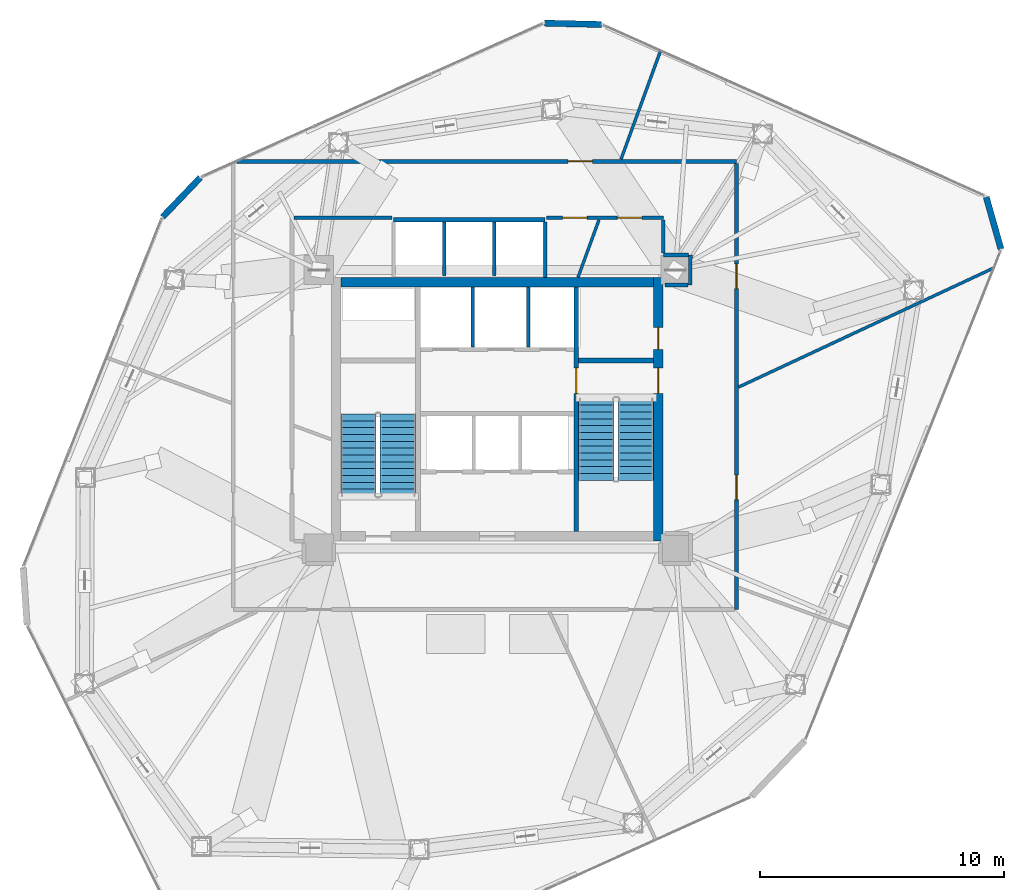
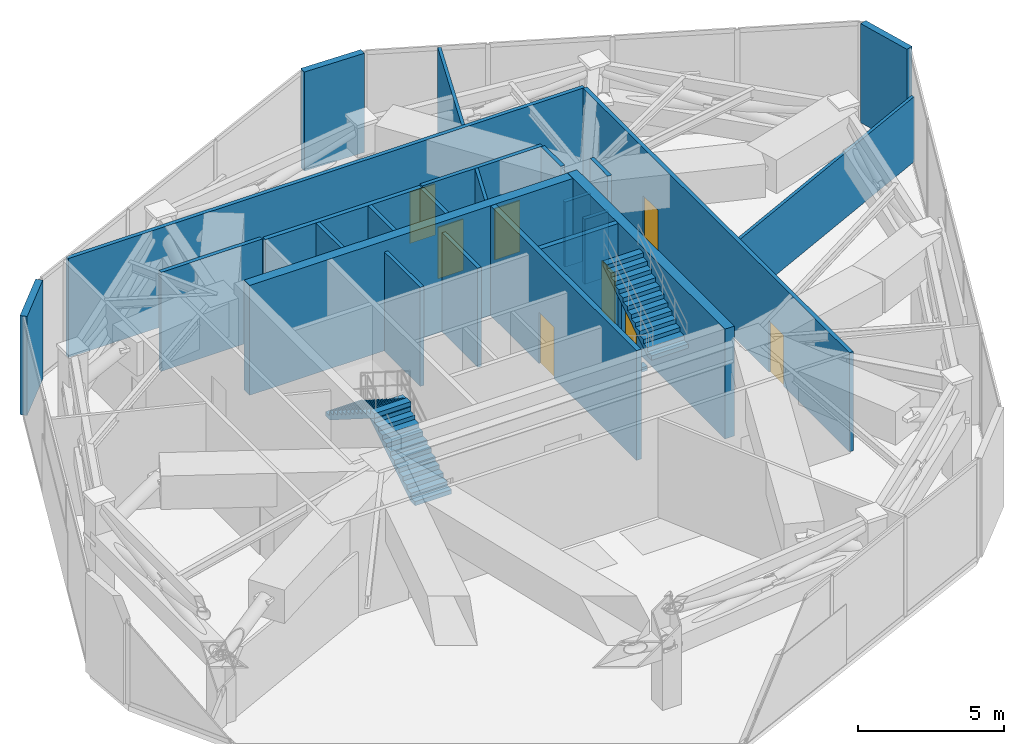
# One storey, part 19 of 21: 24 walls, 8 doors, 4 stair flights, 8 openings, 2 elements without a shape of their own.
"""IFC4 building model written with IfcOpenShell, lengths in metres."""

from ifc_helpers import new_model, si_unit, direction, frame, frame_2d, origin, place, context, subcontext, project, spatial, polyline, rectangle, outline, extrude, source, transform, mapped, material, layer, layer_set, type_object, type_shapes, element, fill, aggregate, save


model = new_model("IFC4")

# Units and contexts
model_context = context("Model", 3, precision=1e-05, world=origin(), true_north=direction((0.0, 1.0)))
body_context = subcontext(model_context, "Body", "Model", "MODEL_VIEW")
ifc_project = project(units=[si_unit("LENGTHUNIT", "METRE"), si_unit("AREAUNIT", "SQUARE_METRE"), si_unit("VOLUMEUNIT", "CUBIC_METRE"), si_unit("PLANEANGLEUNIT", "RADIAN"), si_unit("MASSUNIT", "GRAM", prefix="KILO")], contexts=[model_context])

# Site, building, storey
site_placement = place(None, origin())
site = spatial("IfcSite", under=ifc_project, at=site_placement, CompositionType="ELEMENT")
building_placement = place(site_placement, origin())
building = spatial("IfcBuilding", under=site, at=building_placement, Name="Talar Marvaseh", CompositionType="ELEMENT")
storey_placement = place(building_placement, frame((0.0, 0.0, 162.39990234375)))
storey = spatial("IfcBuildingStorey", under=building, at=storey_placement, Name="L42", CompositionType="ELEMENT", Elevation=162.39990234375)

# Walls
ifc_material_1 = material(Name="Precast concrete C45/55", Category="concrete")
ifc_layer_1 = layer(ifc_material_1, 0.2548828125)
ifc_layer_set_1 = layer_set([ifc_layer_1], Name="Precast concrete C45/55")
wall_type_1 = type_object("IfcWallType", Name="Chamfered Hexagonal Corner Pier Wall Z2 255", PredefinedType="SOLIDWALL", material=ifc_layer_set_1)
wall_1_placement = place(storey_placement, frame((12.29541015625, 39.065185546875, 0.0), z_axis=(0.0, 0.0, 1.0), x_axis=(0.69149665435, 0.722379662659, 0.0)))
element("IfcWall", 1, at=wall_1_placement, inside=storey, type_object=wall_type_1, Name="L42 Chamfered Corner Limestone Pier 3", PredefinedType="SOLIDWALL", context=body_context, shape_type="SweptSolid", body=[
    extrude(rectangle(XDim=2.2451171875, YDim=0.2548828125, at=frame_2d((1.12255859375, 0.0))), origin(), (0.0, 0.0, 1.0), 4.150146484375),
])
wall_2_placement = place(storey_placement, frame((27.932373046875, 47.010009765625, 0.0), z_axis=(0.0, 0.0, 1.0), x_axis=(0.999709717673, -0.024093160645, 0.0)))
element("IfcWall", 2, at=wall_2_placement, inside=storey, type_object=wall_type_1, Name="L42 Chamfered Corner Limestone Pier 4", PredefinedType="SOLIDWALL", context=body_context, shape_type="SweptSolid", body=[
    extrude(rectangle(XDim=2.3408203125, YDim=0.2548828125, at=frame_2d((1.17041015625, 0.0))), origin(), (0.0, 0.0, 1.0), 4.150146484375),
])
wall_3_placement = place(storey_placement, frame((46.022216796875, 39.891357421875, 0.0), z_axis=(0.0, 0.0, 1.0), x_axis=(0.272713024776, -0.962095424642, 0.0)))
element("IfcWall", 3, at=wall_3_placement, inside=storey, type_object=wall_type_1, Name="L42 Chamfered Corner Limestone Pier 5", PredefinedType="SOLIDWALL", context=body_context, shape_type="SweptSolid", body=[
    extrude(rectangle(XDim=2.216552734375, YDim=0.2548828125, at=frame_2d((1.1083984375, 0.0))), origin(), (0.0, 0.0, 1.0), 4.150146484375),
])

# Wall, opening, door
ifc_material_2 = material(Name="Gypsum Board Partition Assembly")
ifc_layer_2 = layer(ifc_material_2, 0.155029296875)
ifc_layer_set_2 = layer_set([ifc_layer_2], Name="Gypsum Board Partition Assembly")
wall_type_2 = type_object("IfcWallType", Name="Corridor Fire-Rated Acoustic Partition 155", PredefinedType="PARTITIONING", material=ifc_layer_set_2)
wall_4_placement = place(storey_placement, frame((15.3388671875, 41.35009765625, 0.0), z_axis=(0.0, 0.0, 1.0), x_axis=(1.0, 0.0, 0.0)))
wall_4 = element("IfcWall", 4, at=wall_4_placement, inside=storey, type_object=wall_type_2, Name="L42 Interior Partition Wall", PredefinedType="PARTITIONING", context=body_context, shape_type="SweptSolid", body=[
    extrude(rectangle(XDim=20.461181640625, YDim=0.155029296875, at=frame_2d((10.23046875, 0.0))), origin(), (0.0, 0.0, 1.0), 4.150146484375),
])
opening_1_placement = place(wall_4_placement, frame((13.563232421875, 0.0, 0.0)))
opening_1 = element("IfcOpeningElement", 5, at=opening_1_placement, cuts=wall_4, Name="Opening DR-RM100", PredefinedType="OPENING", context=body_context, shape_type="SweptSolid", body=[
    extrude(rectangle(XDim=1.0, YDim=2.14990234375, at=frame_2d((0.5, 1.074951171875))), frame((0.0, 0.08740234375, 0.0), z_axis=(0.0, -1.0, 0.0), x_axis=(1.0, 0.0, 0.0)), (0.0, 0.0, 1.0), 0.175048828125),
])
ifc_material_3 = material(Name="Acoustic Engineered Oak Timber", Category="wood")
door_type_1 = type_object("IfcDoorType", Name="Corridor Fire-Rated Gallery Door 1000x2150", OperationType="NOTDEFINED", PredefinedType="DOOR", material=ifc_material_3)
shared_shape_1 = source(origin(), body_context, "Body", "SweptSolid", [
    extrude(rectangle(XDim=1.0, YDim=2.14990234375, at=frame_2d((0.5, 1.074951171875))), frame((0.0, 0.02490234375, 0.0), z_axis=(0.0, -1.0, 0.0), x_axis=(1.0, 0.0, 0.0)), (0.0, 0.0, 1.0), 0.050048828125),
])
type_shapes(door_type_1, [shared_shape_1])
door_1_placement = place(opening_1_placement, origin())
door_1 = element("IfcDoor", 6, at=door_1_placement, inside=storey, type_object=door_type_1, Name="L42 Area of Refuge West Door", OperationType="SINGLE_SWING_RIGHT", OverallHeight=2.14990234375, OverallWidth=1.0, PredefinedType="DOOR", context=body_context, shape_type="MappedRepresentation", body=[
    mapped(shared_shape_1, transform((0.0, 0.0, 0.0), x_axis=(1.0, 0.0, 0.0), y_axis=(0.0, 1.0, 0.0), z_axis=(0.0, 0.0, 1.0), scale=1.0)),
])
fill(opening_1, door_1)

# Wall, openings, doors
wall_5_placement = place(storey_placement, frame((35.800048828125, 41.2666015625, 0.0), z_axis=(0.0, 0.0, 1.0), x_axis=(0.0, -1.0, 0.0)))
wall_5 = element("IfcWall", 7, at=wall_5_placement, inside=storey, type_object=wall_type_2, Name="L42 Interior Partition Wall", PredefinedType="PARTITIONING", context=body_context, shape_type="SweptSolid", body=[
    extrude(rectangle(XDim=18.2666015625, YDim=0.155029296875, at=frame_2d((9.13330078125, 0.0))), origin(), (0.0, 0.0, 1.0), 4.150146484375),
])
opening_2_placement = place(wall_5_placement, frame((12.76220703125, 0.0, 0.0)))
opening_2 = element("IfcOpeningElement", 8, at=opening_2_placement, cuts=wall_5, Name="Opening DR-RM100", PredefinedType="OPENING", context=body_context, shape_type="SweptSolid", body=[
    extrude(rectangle(XDim=1.0, YDim=2.14990234375, at=frame_2d((0.5, 1.074951171875))), frame((0.0, 0.08740234375, 0.0), z_axis=(0.0, -1.0, 0.0), x_axis=(1.0, 0.0, 0.0)), (0.0, 0.0, 1.0), 0.175048828125),
])
opening_3_placement = place(wall_5_placement, frame((4.12646484375, 0.0, 0.0)))
opening_3 = element("IfcOpeningElement", 9, at=opening_3_placement, cuts=wall_5, Name="Opening DR-RM100", PredefinedType="OPENING", context=body_context, shape_type="SweptSolid", body=[
    extrude(rectangle(XDim=1.0, YDim=2.14990234375, at=frame_2d((0.5, 1.074951171875))), frame((0.0, 0.08740234375, 0.0), z_axis=(0.0, -1.0, 0.0), x_axis=(1.0, 0.0, 0.0)), (0.0, 0.0, 1.0), 0.175048828125),
])
door_2_placement = place(opening_2_placement, origin())
door_2 = element("IfcDoor", 10, at=door_2_placement, inside=storey, type_object=door_type_1, Name="L42 Chiller and Cooling Plant Room Door", OperationType="SINGLE_SWING_RIGHT", OverallHeight=2.14990234375, OverallWidth=1.0, PredefinedType="DOOR", context=body_context, shape_type="MappedRepresentation", body=[
    mapped(shared_shape_1, transform((0.0, 0.0, 0.0), x_axis=(1.0, 0.0, 0.0), y_axis=(0.0, 1.0, 0.0), z_axis=(0.0, 0.0, 1.0), scale=1.0)),
])
fill(opening_2, door_2)
door_3_placement = place(opening_3_placement, origin())
door_3 = element("IfcDoor", 11, at=door_3_placement, inside=storey, type_object=door_type_1, Name="L42 Outrigger Mechanical and AHU Plant Room Door", OperationType="SINGLE_SWING_LEFT", OverallHeight=2.14990234375, OverallWidth=1.0, PredefinedType="DOOR", context=body_context, shape_type="MappedRepresentation", body=[
    mapped(shared_shape_1, transform((0.0, 0.0, 0.0), x_axis=(1.0, 0.0, 0.0), y_axis=(0.0, 1.0, 0.0), z_axis=(0.0, 0.0, 1.0), scale=1.0)),
])
fill(opening_3, door_3)

wall_6_placement = place(storey_placement, frame((32.800048828125, 39.0400390625, 0.0), z_axis=(0.0, 0.0, 1.0), x_axis=(-1.0, 0.0, 0.0)))
wall_6 = element("IfcWall", 12, at=wall_6_placement, inside=storey, type_object=wall_type_2, Name="L42 Interior Partition Wall", PredefinedType="PARTITIONING", context=body_context, shape_type="SweptSolid", body=[
    extrude(rectangle(XDim=4.77001953125, YDim=0.155029296875, at=frame_2d((2.385009765625, 0.0))), origin(), (0.0, 0.0, 1.0), 4.150146484375),
])
opening_4_placement = place(wall_6_placement, frame((0.87451171875, 0.0, 0.0)))
opening_4 = element("IfcOpeningElement", 13, at=opening_4_placement, cuts=wall_6, Name="Opening DR-RM100", PredefinedType="OPENING", context=body_context, shape_type="SweptSolid", body=[
    extrude(rectangle(XDim=1.0, YDim=2.14990234375, at=frame_2d((0.5, 1.074951171875))), frame((0.0, 0.08740234375, 0.0), z_axis=(0.0, -1.0, 0.0), x_axis=(1.0, 0.0, 0.0)), (0.0, 0.0, 1.0), 0.175048828125),
])
opening_5_placement = place(wall_6_placement, frame((3.114990234375, 0.0, 0.0)))
opening_5 = element("IfcOpeningElement", 14, at=opening_5_placement, cuts=wall_6, Name="Opening DR-RM100", PredefinedType="OPENING", context=body_context, shape_type="SweptSolid", body=[
    extrude(rectangle(XDim=1.0, YDim=2.14990234375, at=frame_2d((0.5, 1.074951171875))), frame((0.0, 0.08740234375, 0.0), z_axis=(0.0, -1.0, 0.0), x_axis=(1.0, 0.0, 0.0)), (0.0, 0.0, 1.0), 0.175048828125),
])
door_4_placement = place(opening_4_placement, origin())
door_4 = element("IfcDoor", 15, at=door_4_placement, inside=storey, type_object=door_type_1, Name="L42 Fire and Domestic Water Pump Plant Room Door", OperationType="SINGLE_SWING_RIGHT", OverallHeight=2.14990234375, OverallWidth=1.0, PredefinedType="DOOR", context=body_context, shape_type="MappedRepresentation", body=[
    mapped(shared_shape_1, transform((0.0, 0.0, 0.0), x_axis=(1.0, 0.0, 0.0), y_axis=(0.0, 1.0, 0.0), z_axis=(0.0, 0.0, 1.0), scale=1.0)),
])
fill(opening_4, door_4)
door_5_placement = place(opening_5_placement, origin())
door_5 = element("IfcDoor", 16, at=door_5_placement, inside=storey, type_object=door_type_1, Name="L42 Area of Refuge East Door", OperationType="SINGLE_SWING_LEFT", OverallHeight=2.14990234375, OverallWidth=1.0, PredefinedType="DOOR", context=body_context, shape_type="MappedRepresentation", body=[
    mapped(shared_shape_1, transform((0.0, 0.0, 0.0), x_axis=(1.0, 0.0, 0.0), y_axis=(0.0, 1.0, 0.0), z_axis=(0.0, 0.0, 1.0), scale=1.0)),
])
fill(opening_5, door_5)

# Walls
wall_7_placement = place(storey_placement, frame((33.89990234375, 36.284912109375, 0.0), z_axis=(0.0, 0.0, 1.0), x_axis=(0.008764603579, 0.999961590124, 0.0)))
element("IfcWall", 17, at=wall_7_placement, inside=storey, type_object=wall_type_2, Name="L42 Interior Partition Wall", PredefinedType="PARTITIONING", context=body_context, shape_type="SweptSolid", body=[
    extrude(rectangle(XDim=1.2255859375, YDim=0.155029296875, at=frame_2d((0.61279296875, 0.0))), origin(), (0.0, 0.0, 1.0), 4.150146484375),
])
wall_8_placement = place(storey_placement, frame((33.8271484375, 37.510986328125, 0.0), z_axis=(0.0, 0.0, 1.0), x_axis=(-0.99999276797, 0.003803157663, 0.0)))
element("IfcWall", 18, at=wall_8_placement, inside=storey, type_object=wall_type_2, Name="L42 Interior Partition Wall", PredefinedType="PARTITIONING", context=body_context, shape_type="SweptSolid", body=[
    extrude(rectangle(XDim=1.027099609375, YDim=0.155029296875, at=frame_2d((0.513671875, 0.0))), origin(), (0.0, 0.0, 1.0), 2.72509765625),
])
wall_9_placement = place(storey_placement, frame((32.800048828125, 37.598388671875, 0.0), z_axis=(0.0, 0.0, 1.0), x_axis=(0.0, 1.0, 0.0)))
element("IfcWall", 19, at=wall_9_placement, inside=storey, type_object=wall_type_2, Name="L42 Interior Partition Wall", PredefinedType="PARTITIONING", context=body_context, shape_type="SweptSolid", body=[
    extrude(rectangle(XDim=1.358154296875, YDim=0.155029296875, at=frame_2d((0.67919921875, 0.0))), origin(), (0.0, 0.0, 1.0), 4.150146484375),
])
wall_10_placement = place(storey_placement, frame((21.68994140625, 39.0400390625, 0.0), z_axis=(0.0, 0.0, 1.0), x_axis=(-1.0, 0.0, 0.0)))
element("IfcWall", 20, at=wall_10_placement, inside=storey, type_object=wall_type_2, Name="L42 Interior Partition Wall", PredefinedType="PARTITIONING", context=body_context, shape_type="SweptSolid", body=[
    extrude(rectangle(XDim=4.00634765625, YDim=0.155029296875, at=frame_2d((2.003173828125, 0.0))), origin(), (0.0, 0.0, 1.0), 4.150146484375),
])
wall_11_placement = place(storey_placement, frame((32.8701171875, 36.284912109375, 0.0), z_axis=(0.0, 0.0, 1.0), x_axis=(1.0, 0.0, 0.0)))
element("IfcWall", 21, at=wall_11_placement, inside=storey, type_object=wall_type_2, Name="L42 Interior Partition Wall", PredefinedType="PARTITIONING", context=body_context, shape_type="SweptSolid", body=[
    extrude(rectangle(XDim=0.9462890625, YDim=0.155029296875, at=frame_2d((0.47314453125, 0.0))), origin(), (0.0, 0.0, 1.0), 2.72509765625),
])
ifc_layer_3 = layer(ifc_material_2, 0.1201171875)
ifc_layer_set_3 = layer_set([ifc_layer_3], Name="Gypsum Board Partition Assembly")
wall_type_3 = type_object("IfcWallType", Name="Demountable Studio Room Partition 120", PredefinedType="PARTITIONING", material=ifc_layer_set_3)
wall_12_placement = place(storey_placement, frame((35.883544921875, 32.10888671875, 0.0), z_axis=(0.0, 0.0, 1.0), x_axis=(0.906109947942, 0.42304227004, 0.0)))
element("IfcWall", 22, at=wall_12_placement, inside=storey, type_object=wall_type_3, Name="L42 Interior Partition Wall", PredefinedType="PARTITIONING", context=body_context, shape_type="SweptSolid", body=[
    extrude(rectangle(XDim=11.50634765625, YDim=0.1201171875, at=frame_2d((5.753173828125, 0.0))), origin(), (0.0, 0.0, 1.0), 2.72509765625),
])
wall_13_placement = place(storey_placement, frame((31.0703125, 41.43359375, 0.0), z_axis=(0.0, 0.0, 1.0), x_axis=(0.342105504572, 0.939661547442, 0.0)))
element("IfcWall", 23, at=wall_13_placement, inside=storey, type_object=wall_type_3, Name="L42 Interior Partition Wall", PredefinedType="PARTITIONING", context=body_context, shape_type="SweptSolid", body=[
    extrude(rectangle(XDim=4.705078125, YDim=0.1201171875, at=frame_2d((2.3525390625, 0.0))), origin(), (0.0, 0.0, 1.0), 4.150146484375),
])
wall_14_placement = place(storey_placement, frame((29.31005859375, 36.60009765625, 0.0), z_axis=(0.0, 0.0, 1.0), x_axis=(0.342618216876, 0.939474724229, 0.0)))
element("IfcWall", 24, at=wall_14_placement, inside=storey, type_object=wall_type_3, Name="L42 Interior Partition Wall", PredefinedType="PARTITIONING", context=body_context, shape_type="SweptSolid", body=[
    extrude(rectangle(XDim=2.50830078125, YDim=0.1201171875, at=frame_2d((1.254150390625, 0.0))), origin(), (0.0, 0.0, 1.0), 4.150146484375),
])
ifc_layer_4 = layer(ifc_material_1, 0.14501953125)
ifc_layer_set_4 = layer_set([ifc_layer_4], Name="Precast concrete C45/55")
wall_type_4 = type_object("IfcWallType", Name="Fire-Rated Lift Divider Wall 145", PredefinedType="SOLIDWALL", material=ifc_layer_set_4)
for number, where, z_axis, x_axis, name in (
    (25, (25.0, 33.743408203125, 0.0), (0.0, 0.0, 1.0), (0.0, 1.0, 0.0), "L42 FFL-1/FFL-2 Divider"),
    (26, (27.280029296875, 33.743408203125, 0.0), (0.0, 0.0, 1.0), (0.0, 1.0, 0.0), "L42 FFL-2/SVL-1 Divider"),
):
    element("IfcWall", number, at=place(storey_placement, frame(where, z_axis=z_axis, x_axis=x_axis)), inside=storey, type_object=wall_type_4, Name=name, PredefinedType="SOLIDWALL", context=body_context, shape_type="SweptSolid", body=[
        extrude(rectangle(XDim=2.45654296875, YDim=0.14501953125, at=frame_2d((1.228271484375, 0.0))), origin(), (0.0, 0.0, 1.0), 4.150146484375),
    ])
wall_15_placement = place(storey_placement, frame((27.9599609375, 36.60009765625, 0.0), z_axis=(0.0, 0.0, 1.0), x_axis=(0.0, 1.0, 0.0)))
element("IfcWall", 27, at=wall_15_placement, inside=storey, type_object=wall_type_4, Name="L42 Low-Rise Bank East Wall", PredefinedType="SOLIDWALL", context=body_context, shape_type="SweptSolid", body=[
    extrude(rectangle(XDim=2.266357421875, YDim=0.14501953125, at=frame_2d((1.13330078125, 0.0))), origin(), (0.0, 0.0, 1.0), 4.150146484375),
])
for number, where, z_axis, x_axis, name in (
    (28, (23.830078125, 36.659912109375, 0.0), (0.0, 0.0, 1.0), (0.0, 1.0, 0.0), "L42 PL-L1/PL-L2 Divider"),
    (29, (25.889892578125, 36.659912109375, 0.0), (0.0, 0.0, 1.0), (0.0, 1.0, 0.0), "L42 PL-L2/PL-L3 Divider"),
):
    element("IfcWall", number, at=place(storey_placement, frame(where, z_axis=z_axis, x_axis=x_axis)), inside=storey, type_object=wall_type_4, Name=name, PredefinedType="SOLIDWALL", context=body_context, shape_type="SweptSolid", body=[
        extrude(rectangle(XDim=2.20654296875, YDim=0.14501953125, at=frame_2d((1.103271484375, 0.0))), origin(), (0.0, 0.0, 1.0), 4.150146484375),
    ])
ifc_layer_5 = layer(ifc_material_1, 0.175048828125)
ifc_layer_set_5 = layer_set([ifc_layer_5], Name="Precast concrete C45/55")
wall_type_5 = type_object("IfcWallType", Name="Fire-Rated Lift Hoistway Enclosure Wall 175", PredefinedType="SOLIDWALL", material=ifc_layer_set_5)
wall_16_placement = place(storey_placement, frame((21.760009765625, 38.9599609375, 0.0), z_axis=(0.0, 0.0, 1.0), x_axis=(1.0, 0.0, 0.0)))
element("IfcWall", 30, at=wall_16_placement, inside=storey, type_object=wall_type_5, Name="L42 Low-Rise Lift Bank Front Wall", PredefinedType="SOLIDWALL", context=body_context, shape_type="SweptSolid", body=[
    extrude(rectangle(XDim=6.199951171875, YDim=0.175048828125, at=frame_2d((3.10009765625, 0.0))), origin(), (0.0, 0.0, 1.0), 4.150146484375),
])

# Wall, openings, doors
ifc_material_4 = material(Name="Concrete C60/75", Category="concrete")
ifc_layer_6 = layer(ifc_material_4, 0.3798828125)
ifc_layer_set_6 = layer_set([ifc_layer_6], Name="Concrete C60/75")
wall_type_6 = type_object("IfcWallType", Name="Mid Core Reinforced Concrete Shear Wall 380", PredefinedType="SHEAR", material=ifc_layer_set_6)
wall_17_placement = place(storey_placement, frame((32.60009765625, 36.60009765625, 0.0), z_axis=(0.0, 0.0, 1.0), x_axis=(0.0, -1.0, 0.0)))
wall_17 = element("IfcWall", 31, at=wall_17_placement, inside=storey, type_object=wall_type_6, Name="L42 East Core Shear Wall", PredefinedType="SHEAR", context=body_context, shape_type="SweptSolid", body=[
    extrude(rectangle(XDim=10.800048828125, YDim=0.3798828125, at=frame_2d((5.39990234375, 0.0))), origin(), (0.0, 0.0, 1.0), 4.60009765625),
])
opening_6_placement = place(wall_17_placement, frame((3.699951171875, 0.0, 0.0)))
opening_6 = element("IfcOpeningElement", 32, at=opening_6_placement, cuts=wall_17, Name="Opening DR-ST105", PredefinedType="OPENING", context=body_context, shape_type="SweptSolid", body=[
    extrude(rectangle(XDim=1.050048828125, YDim=2.14990234375, at=frame_2d((0.52490234375, 1.074951171875))), frame((0.0, 0.199951171875, 0.0), z_axis=(0.0, -1.0, 0.0), x_axis=(1.0, 0.0, 0.0)), (0.0, 0.0, 1.0), 0.39990234375),
])
opening_7_placement = place(wall_17_placement, frame((2.050048828125, 0.0, 0.0)))
opening_7 = element("IfcOpeningElement", 33, at=opening_7_placement, cuts=wall_17, Name="Opening DR-BOH090", PredefinedType="OPENING", context=body_context, shape_type="SweptSolid", body=[
    extrude(rectangle(XDim=0.89990234375, YDim=2.10009765625, at=frame_2d((0.449951171875, 1.050048828125))), frame((0.0, 0.199951171875, 0.0), z_axis=(0.0, -1.0, 0.0), x_axis=(1.0, 0.0, 0.0)), (0.0, 0.0, 1.0), 0.39990234375),
])
ifc_material_5 = material(Name="Fire-Rated Steel Door Leaf", Category="steel")
door_type_2 = type_object("IfcDoorType", Name="Protected Exit Stair Fire Door 1050x2150", OperationType="NOTDEFINED", PredefinedType="DOOR", material=ifc_material_5)
shared_shape_2 = source(origin(), body_context, "Body", "SweptSolid", [
    extrude(rectangle(XDim=1.050048828125, YDim=2.14990234375, at=frame_2d((0.52490234375, 1.074951171875))), frame((0.0, 0.02490234375, 0.0), z_axis=(0.0, -1.0, 0.0), x_axis=(1.0, 0.0, 0.0)), (0.0, 0.0, 1.0), 0.050048828125),
])
type_shapes(door_type_2, [shared_shape_2])
door_6_placement = place(opening_6_placement, origin())
door_6 = element("IfcDoor", 34, at=door_6_placement, inside=storey, type_object=door_type_2, Name="L42 Stair ST-2 Corridor Exit Door", OperationType="SINGLE_SWING_LEFT", OverallHeight=2.14990234375, OverallWidth=1.050048828125, PredefinedType="DOOR", context=body_context, shape_type="MappedRepresentation", body=[
    mapped(shared_shape_2, transform((0.0, 0.0, 0.0), x_axis=(1.0, 0.0, 0.0), y_axis=(0.0, 1.0, 0.0), z_axis=(0.0, 0.0, 1.0), scale=1.0)),
])
fill(opening_6, door_6)
door_type_3 = type_object("IfcDoorType", Name="Core Back-of-House Service Door 900x2100", OperationType="NOTDEFINED", PredefinedType="DOOR", material=ifc_material_5)
shared_shape_3 = source(origin(), body_context, "Body", "SweptSolid", [
    extrude(rectangle(XDim=0.89990234375, YDim=2.10009765625, at=frame_2d((0.449951171875, 1.050048828125))), frame((0.0, 0.02490234375, 0.0), z_axis=(0.0, -1.0, 0.0), x_axis=(1.0, 0.0, 0.0)), (0.0, 0.0, 1.0), 0.050048828125),
])
type_shapes(door_type_3, [shared_shape_3])
door_7_placement = place(opening_7_placement, origin())
door_7 = element("IfcDoor", 35, at=door_7_placement, inside=storey, type_object=door_type_3, Name="L42 Store Core East Archive Room Door", OperationType="SINGLE_SWING_RIGHT", OverallHeight=2.10009765625, OverallWidth=0.89990234375, PredefinedType="DOOR", context=body_context, shape_type="MappedRepresentation", body=[
    mapped(shared_shape_3, transform((0.0, 0.0, 0.0), x_axis=(1.0, 0.0, 0.0), y_axis=(0.0, 1.0, 0.0), z_axis=(0.0, 0.0, 1.0), scale=1.0)),
])
fill(opening_7, door_7)

# Wall
wall_18_placement = place(storey_placement, frame((19.60009765625, 36.39990234375, 0.0), z_axis=(0.0, 0.0, 1.0), x_axis=(1.0, 0.0, 0.0)))
element("IfcWall", 36, at=wall_18_placement, inside=storey, type_object=wall_type_6, Name="L42 North Core Shear Wall", PredefinedType="SHEAR", context=body_context, shape_type="SweptSolid", body=[
    extrude(rectangle(XDim=12.7998046875, YDim=0.3798828125, at=frame_2d((6.39990234375, 0.0))), origin(), (0.0, 0.0, 1.0), 4.60009765625),
])

# Wall, opening, door
ifc_material_6 = material(Name="Concrete C50/60", Category="concrete")
ifc_layer_7 = layer(ifc_material_6, 0.199951171875)
ifc_layer_set_7 = layer_set([ifc_layer_7], Name="Concrete C50/60")
wall_type_7 = type_object("IfcWallType", Name="Stair Shaft Structural Concrete Shear Wall 200", PredefinedType="SHEAR", material=ifc_layer_set_7)
wall_19_placement = place(storey_placement, frame((29.239990234375, 26.199951171875, 0.0), z_axis=(0.0, 0.0, 1.0), x_axis=(0.0, 1.0, 0.0)))
wall_19 = element("IfcWall", 37, at=wall_19_placement, inside=storey, type_object=wall_type_7, Name="L42 Core East Stair Shear Wall", PredefinedType="SHEAR", context=body_context, shape_type="SweptSolid", body=[
    extrude(rectangle(XDim=10.0, YDim=0.199951171875, at=frame_2d((5.0, 0.0))), origin(), (0.0, 0.0, 1.0), 4.60009765625),
])
opening_8_placement = place(wall_19_placement, frame((5.64990234375, 0.0, 0.0)))
opening_8 = element("IfcOpeningElement", 38, at=opening_8_placement, cuts=wall_19, Name="Opening DR-ST105", PredefinedType="OPENING", context=body_context, shape_type="SweptSolid", body=[
    extrude(rectangle(XDim=1.050048828125, YDim=2.14990234375, at=frame_2d((0.52490234375, 1.074951171875))), frame((0.0, 0.10986328125, 0.0), z_axis=(0.0, -1.0, 0.0), x_axis=(1.0, 0.0, 0.0)), (0.0, 0.0, 1.0), 0.219970703125),
])
door_8_placement = place(opening_8_placement, origin())
door_8 = element("IfcDoor", 39, at=door_8_placement, inside=storey, type_object=door_type_2, Name="L42 Firefighting Lobby to Stair ST-2 Door", OperationType="SINGLE_SWING_LEFT", OverallHeight=2.14990234375, OverallWidth=1.050048828125, PredefinedType="DOOR", context=body_context, shape_type="MappedRepresentation", body=[
    mapped(shared_shape_2, transform((0.0, 0.0, 0.0), x_axis=(1.0, 0.0, 0.0), y_axis=(0.0, 1.0, 0.0), z_axis=(0.0, 0.0, 1.0), scale=1.0)),
])
fill(opening_8, door_8)

# Wall
wall_20_placement = place(storey_placement, frame((29.340087890625, 33.199951171875, 0.0), z_axis=(0.0, 0.0, 1.0), x_axis=(1.0, 0.0, 0.0)))
element("IfcWall", 40, at=wall_20_placement, inside=storey, type_object=wall_type_7, Name="L42 Stair ST-2 North Shear Wall", PredefinedType="SHEAR", context=body_context, shape_type="SweptSolid", body=[
    extrude(rectangle(XDim=3.059814453125, YDim=0.199951171875, at=frame_2d((1.52978515625, 0.0))), origin(), (0.0, 0.0, 1.0), 4.60009765625),
])

# Stair, stair flights
ifc_material_7 = material(Name="Concrete C40/50", Category="concrete")
stair_type = type_object("IfcStairType", Name="Reinforced Concrete Half-Turn Exit Stair Type B", PredefinedType="HALF_TURN_STAIR", material=ifc_material_7)
stair_1_placement = place(storey_placement, origin())
stair_1 = element("IfcStair", 41, at=stair_1_placement, inside=storey, type_object=stair_type, Name="L42 Tower West Core Exit Stair", PredefinedType="HALF_TURN_STAIR")
ifc_layer_8 = layer(ifc_material_7, 0.159912109375)
ifc_layer_set_8 = layer_set([ifc_layer_8], Name="Concrete C40/50")
stair_flight_type = type_object("IfcStairFlightType", Name="Reinforced Concrete Straight Stair Flight 160", PredefinedType="STRAIGHT", material=ifc_layer_set_8)
stair_flight_1_placement = place(storey_placement, frame((21.93505859375, 27.64990234375, 0.0), z_axis=(0.0, 0.0, 1.0), x_axis=(0.0, 1.0, 0.0)))
stair_flight_1 = element("IfcStairFlight", 42, at=stair_flight_1_placement, type_object=stair_flight_type, Name="ST-1 flight 1", NumberOfRisers=13, NumberOfTreads=12, PredefinedType="STRAIGHT", RiserHeight=0.176923077, TreadLength=0.28, context=body_context, shape_type="SweptSolid", body=[
    extrude(outline(polyline([(0.0, 0.0), (0.0, 0.177001953125), (0.280029296875, 0.177001953125), (0.280029296875, 0.353759765625), (0.56005859375, 0.353759765625), (0.56005859375, 0.53076171875), (0.840087890625, 0.53076171875), (0.840087890625, 0.707763671875), (1.1201171875, 0.707763671875), (1.1201171875, 0.884521484375), (1.39990234375, 0.884521484375), (1.39990234375, 1.0615234375), (1.679931640625, 1.0615234375), (1.679931640625, 1.238525390625), (1.9599609375, 1.238525390625), (1.9599609375, 1.415283203125), (2.239990234375, 1.415283203125), (2.239990234375, 1.59228515625), (2.52001953125, 1.59228515625), (2.52001953125, 1.769287109375), (2.800048828125, 1.769287109375), (2.800048828125, 1.946044921875), (3.080078125, 1.946044921875), (3.080078125, 2.123046875), (3.360107421875, 2.123046875), (3.360107421875, 2.300048828125), (3.360107421875, 1.933837890625), (0.29931640625, 0.0), (0.0, 0.0)])), frame((0.0, 0.72509765625, 0.0), z_axis=(0.0, -1.0, 0.0), x_axis=(1.0, 0.0, 0.0)), (0.0, 0.0, 1.0), 1.449951171875),
])
stair_flight_2_placement = place(storey_placement, frame((20.324951171875, 31.010009765625, 2.300048828125), z_axis=(0.0, 0.0, 1.0), x_axis=(0.0, -1.0, 0.0)))
stair_flight_2 = element("IfcStairFlight", 43, at=stair_flight_2_placement, type_object=stair_flight_type, Name="ST-1 flight 2", NumberOfRisers=13, NumberOfTreads=12, PredefinedType="STRAIGHT", RiserHeight=0.176923077, TreadLength=0.28, context=body_context, shape_type="SweptSolid", body=[
    extrude(outline(polyline([(0.0, 0.0), (0.0, 0.177001953125), (0.280029296875, 0.177001953125), (0.280029296875, 0.353759765625), (0.56005859375, 0.353759765625), (0.56005859375, 0.53076171875), (0.840087890625, 0.53076171875), (0.840087890625, 0.707763671875), (1.1201171875, 0.707763671875), (1.1201171875, 0.884521484375), (1.39990234375, 0.884521484375), (1.39990234375, 1.0615234375), (1.679931640625, 1.0615234375), (1.679931640625, 1.238525390625), (1.9599609375, 1.238525390625), (1.9599609375, 1.415283203125), (2.239990234375, 1.415283203125), (2.239990234375, 1.59228515625), (2.52001953125, 1.59228515625), (2.52001953125, 1.769287109375), (2.800048828125, 1.769287109375), (2.800048828125, 1.946044921875), (3.080078125, 1.946044921875), (3.080078125, 2.123046875), (3.360107421875, 2.123046875), (3.360107421875, 2.300048828125), (3.360107421875, 1.933837890625), (0.29931640625, 0.0), (0.0, 0.0)])), frame((0.0, 0.72509765625, 0.0), z_axis=(0.0, -1.0, 0.0), x_axis=(1.0, 0.0, 0.0)), (0.0, 0.0, 1.0), 1.449951171875),
])
aggregate(stair_1, [stair_flight_1, stair_flight_2])

stair_2_placement = place(storey_placement, origin())
stair_2 = element("IfcStair", 44, at=stair_2_placement, inside=storey, type_object=stair_type, Name="L42 Tower East Core Exit Stair", PredefinedType="HALF_TURN_STAIR")
stair_flight_3_placement = place(storey_placement, frame((30.06494140625, 31.64990234375, 0.0), z_axis=(0.0, 0.0, 1.0), x_axis=(0.0, -1.0, 0.0)))
stair_flight_3 = element("IfcStairFlight", 45, at=stair_flight_3_placement, type_object=stair_flight_type, Name="ST-2 flight 1", NumberOfRisers=13, NumberOfTreads=12, PredefinedType="STRAIGHT", RiserHeight=0.176923077, TreadLength=0.28, context=body_context, shape_type="SweptSolid", body=[
    extrude(outline(polyline([(0.0, 0.0), (0.0, 0.177001953125), (0.280029296875, 0.177001953125), (0.280029296875, 0.353759765625), (0.56005859375, 0.353759765625), (0.56005859375, 0.53076171875), (0.840087890625, 0.53076171875), (0.840087890625, 0.707763671875), (1.1201171875, 0.707763671875), (1.1201171875, 0.884521484375), (1.39990234375, 0.884521484375), (1.39990234375, 1.0615234375), (1.679931640625, 1.0615234375), (1.679931640625, 1.238525390625), (1.9599609375, 1.238525390625), (1.9599609375, 1.415283203125), (2.239990234375, 1.415283203125), (2.239990234375, 1.59228515625), (2.52001953125, 1.59228515625), (2.52001953125, 1.769287109375), (2.800048828125, 1.769287109375), (2.800048828125, 1.946044921875), (3.080078125, 1.946044921875), (3.080078125, 2.123046875), (3.360107421875, 2.123046875), (3.360107421875, 2.300048828125), (3.360107421875, 1.933837890625), (0.29931640625, 0.0), (0.0, 0.0)])), frame((0.0, 0.72509765625, 0.0), z_axis=(0.0, -1.0, 0.0), x_axis=(1.0, 0.0, 0.0)), (0.0, 0.0, 1.0), 1.449951171875),
])
stair_flight_4_placement = place(storey_placement, frame((31.675048828125, 28.2900390625, 2.300048828125), z_axis=(0.0, 0.0, 1.0), x_axis=(0.0, 1.0, 0.0)))
stair_flight_4 = element("IfcStairFlight", 46, at=stair_flight_4_placement, type_object=stair_flight_type, Name="ST-2 flight 2", NumberOfRisers=13, NumberOfTreads=12, PredefinedType="STRAIGHT", RiserHeight=0.176923077, TreadLength=0.28, context=body_context, shape_type="SweptSolid", body=[
    extrude(outline(polyline([(0.0, 0.0), (0.0, 0.177001953125), (0.280029296875, 0.177001953125), (0.280029296875, 0.353759765625), (0.56005859375, 0.353759765625), (0.56005859375, 0.53076171875), (0.840087890625, 0.53076171875), (0.840087890625, 0.707763671875), (1.1201171875, 0.707763671875), (1.1201171875, 0.884521484375), (1.39990234375, 0.884521484375), (1.39990234375, 1.0615234375), (1.679931640625, 1.0615234375), (1.679931640625, 1.238525390625), (1.9599609375, 1.238525390625), (1.9599609375, 1.415283203125), (2.239990234375, 1.415283203125), (2.239990234375, 1.59228515625), (2.52001953125, 1.59228515625), (2.52001953125, 1.769287109375), (2.800048828125, 1.769287109375), (2.800048828125, 1.946044921875), (3.080078125, 1.946044921875), (3.080078125, 2.123046875), (3.360107421875, 2.123046875), (3.360107421875, 2.300048828125), (3.360107421875, 1.933837890625), (0.29931640625, 0.0), (0.0, 0.0)])), frame((0.0, 0.72509765625, 0.0), z_axis=(0.0, -1.0, 0.0), x_axis=(1.0, 0.0, 0.0)), (0.0, 0.0, 1.0), 1.449951171875),
])
aggregate(stair_2, [stair_flight_3, stair_flight_4])

save(model, "model.ifc")
